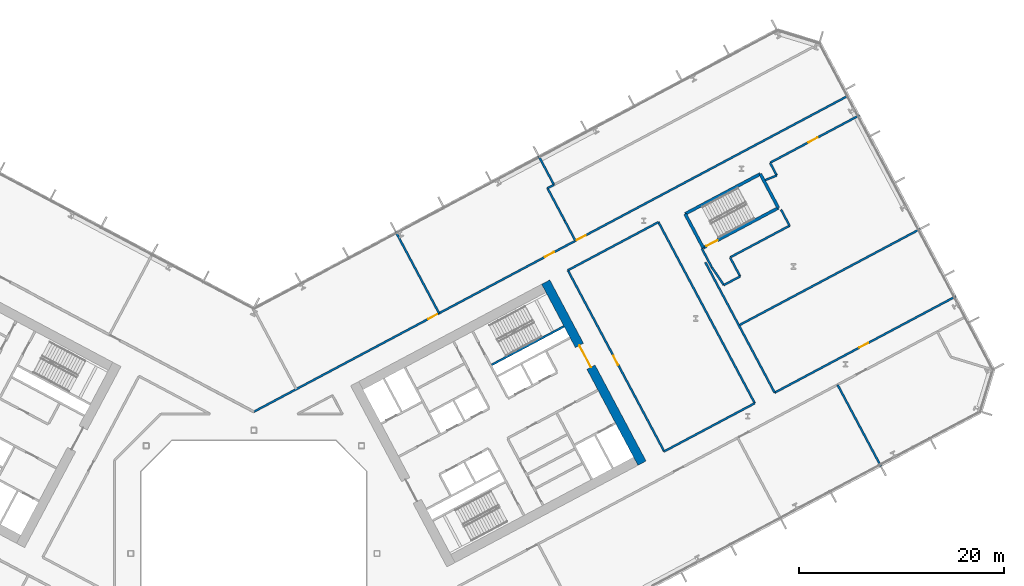
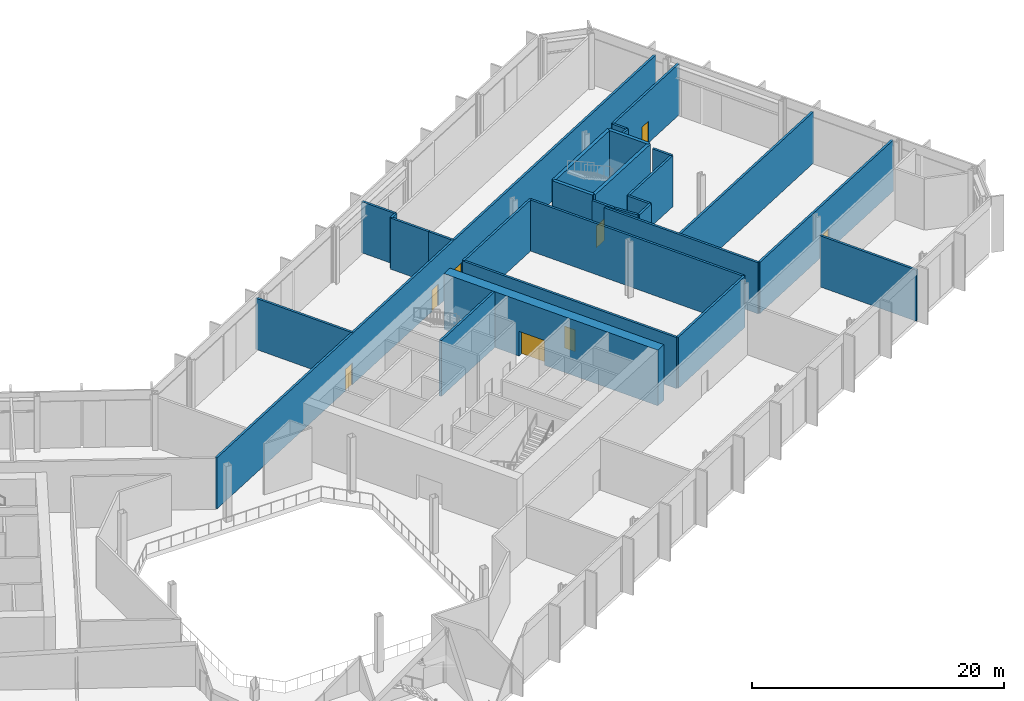
# One storey, part 17 of 31: 29 walls, 8 doors, 8 openings.
"""IFC4 building model written with IfcOpenShell, lengths in metres."""

from ifc_helpers import new_model, si_unit, direction, frame, frame_2d, origin, place, context, subcontext, project, spatial, rectangle, extrude, material, layer, layer_set, type_object, element, fill, save


model = new_model("IFC4")

# Units and contexts
model_context = context("Model", 3, precision=1e-05, world=origin(), true_north=direction((0.0, 1.0)))
body_context = subcontext(model_context, "Body", "Model", "MODEL_VIEW")
ifc_project = project(units=[si_unit("LENGTHUNIT", "METRE"), si_unit("AREAUNIT", "SQUARE_METRE"), si_unit("VOLUMEUNIT", "CUBIC_METRE"), si_unit("PLANEANGLEUNIT", "RADIAN"), si_unit("MASSUNIT", "GRAM", prefix="KILO")], contexts=[model_context])

# Site, building, storey
site_placement = place(None, origin())
site = spatial("IfcSite", under=ifc_project, at=site_placement, CompositionType="ELEMENT")
building_placement = place(site_placement, origin())
building = spatial("IfcBuilding", under=site, at=building_placement, Name="Cormorant Relay Tower", CompositionType="ELEMENT")
storey_placement = place(building_placement, frame((0.0, 0.0, 33.800048828125)))
storey = spatial("IfcBuildingStorey", under=building, at=storey_placement, Name="L06", CompositionType="ELEMENT", Elevation=33.800048828125)

# Wall
ifc_material_1 = material(Name="Concrete 50 MPa", Category="concrete")
ifc_layer_1 = layer(ifc_material_1, 0.199951171875)
ifc_layer_set_1 = layer_set([ifc_layer_1], Name="Core shaft wall 200")
wall_type_1 = type_object("IfcWallType", Name="Core shaft wall 200", PredefinedType="SHEAR", material=ifc_layer_set_1)
wall_1_placement = place(storey_placement, frame((23.18212890625, 18.385498046875, 0.0), z_axis=(0.0, 0.0, 1.0), x_axis=(0.88295287151, 0.469461634952, 0.0)))
element("IfcWall", 1, at=wall_1_placement, inside=storey, type_object=wall_type_1, Name="L06 core B shaft wall", PredefinedType="SHEAR", context=body_context, shape_type="SweptSolid", body=[
    extrude(rectangle(XDim=7.999755859375, YDim=0.199951171875, at=frame_2d((4.0, 0.0))), origin(), (0.0, 0.0, 1.0), 5.39990234375),
])

# Wall, opening, door
ifc_material_2 = material(Name="Concrete 70 MPa", Category="concrete")
ifc_layer_2 = layer(ifc_material_2, 0.89990234375)
ifc_layer_set_2 = layer_set([ifc_layer_2], Name="Core wall 900")
wall_type_2 = type_object("IfcWallType", Name="Core wall 900", PredefinedType="SHEAR", material=ifc_layer_set_2)
wall_2_placement = place(storey_placement, frame((37.849365234375, 8.799072265625, 0.0), z_axis=(0.0, 0.0, 1.0), x_axis=(-0.469465789982, 0.882950662289, 0.0)))
wall_2 = element("IfcWall", 2, at=wall_2_placement, inside=storey, type_object=wall_type_2, Name="L06 core B wall", PredefinedType="SHEAR", context=body_context, shape_type="SweptSolid", body=[
    extrude(rectangle(XDim=20.000244140625, YDim=0.89990234375, at=frame_2d((10.0, 0.0))), origin(), (0.0, 0.0, 1.0), 5.39990234375),
])
opening_1_placement = place(wall_2_placement, frame((10.60009765625, 0.0, 0.0)))
opening_1 = element("IfcOpeningElement", 3, at=opening_1_placement, cuts=wall_2, Name="Opening CDA-016", PredefinedType="OPENING", context=body_context, shape_type="SweptSolid", body=[
    extrude(rectangle(XDim=2.39990234375, YDim=2.39990234375, at=frame_2d((1.199951171875, 1.199951171875))), frame((0.0, 0.4599609375, 0.0), z_axis=(0.0, -1.0, 0.0), x_axis=(1.0, 0.0, 0.0)), (0.0, 0.0, 1.0), 0.919921875),
])
ifc_material_3 = material(Name="Steel fire door", Category="steel")
door_type_1 = type_object("IfcDoorType", Name="Core lobby door 2400x2400", OperationType="DOUBLE_DOOR_SINGLE_SWING", PredefinedType="DOOR", material=ifc_material_3)
door_1_placement = place(opening_1_placement, origin())
door_1 = element("IfcDoor", 4, at=door_1_placement, inside=storey, type_object=door_type_1, Name="Core lobby door 2400x2400", OperationType="DOUBLE_DOOR_SINGLE_SWING", OverallHeight=2.39990234375, OverallWidth=2.39990234375, PredefinedType="DOOR", context=body_context, shape_type="SweptSolid", body=[
    extrude(rectangle(XDim=2.39990234375, YDim=2.39990234375, at=frame_2d((1.199951171875, 1.199951171875))), frame((0.0, 0.02490234375, 0.0), z_axis=(0.0, -1.0, 0.0), x_axis=(1.0, 0.0, 0.0)), (0.0, 0.0, 1.0), 0.050048828125),
])
fill(opening_1, door_1)

# Wall, openings, doors
ifc_material_4 = material(Name="Fire-rated gypsum board partition")
ifc_layer_3 = layer(ifc_material_4, 0.199951171875)
ifc_layer_set_3 = layer_set([ifc_layer_3], Name="Fire-rated gypsum partition 200")
wall_type_3 = type_object("IfcWallType", Name="Fire-rated gypsum partition 200", PredefinedType="PARTITIONING", material=ifc_layer_set_3)
wall_3_placement = place(storey_placement, frame((0.0, 13.81494140625, 0.0), z_axis=(0.0, 0.0, 1.0), x_axis=(0.882946053005, 0.469474458819, 0.0)))
wall_3 = element("IfcWall", 5, at=wall_3_placement, inside=storey, type_object=wall_type_3, Name="wall/L06/part/9", PredefinedType="PARTITIONING", context=body_context, shape_type="SweptSolid", body=[
    extrude(rectangle(XDim=65.714111328125, YDim=0.199951171875, at=frame_2d((32.85693359375, 0.0))), origin(), (0.0, 0.0, 1.0), 4.949951171875),
])
opening_2_placement = place(wall_3_placement, frame((35.64990234375, 0.0, 0.0)))
opening_2 = element("IfcOpeningElement", 6, at=opening_2_placement, cuts=wall_3, Name="Opening FD1-041", PredefinedType="OPENING", context=body_context, shape_type="SweptSolid", body=[
    extrude(rectangle(XDim=1.0, YDim=2.10009765625, at=frame_2d((0.5, 1.050048828125))), frame((0.0, 0.10986328125, 0.0), z_axis=(0.0, -1.0, 0.0), x_axis=(1.0, 0.0, 0.0)), (0.0, 0.0, 1.0), 0.219970703125),
])
opening_3_placement = place(wall_3_placement, frame((32.14990234375, 0.0, 0.0)))
opening_3 = element("IfcOpeningElement", 7, at=opening_3_placement, cuts=wall_3, Name="Opening FD1-042", PredefinedType="OPENING", context=body_context, shape_type="SweptSolid", body=[
    extrude(rectangle(XDim=1.0, YDim=2.10009765625, at=frame_2d((0.5, 1.050048828125))), frame((0.0, 0.10986328125, 0.0), z_axis=(0.0, -1.0, 0.0), x_axis=(1.0, 0.0, 0.0)), (0.0, 0.0, 1.0), 0.219970703125),
])
opening_4_placement = place(wall_3_placement, frame((19.25, 0.0, 0.0)))
opening_4 = element("IfcOpeningElement", 8, at=opening_4_placement, cuts=wall_3, Name="Opening FD1-043", PredefinedType="OPENING", context=body_context, shape_type="SweptSolid", body=[
    extrude(rectangle(XDim=1.0, YDim=2.10009765625, at=frame_2d((0.5, 1.050048828125))), frame((0.0, 0.10986328125, 0.0), z_axis=(0.0, -1.0, 0.0), x_axis=(1.0, 0.0, 0.0)), (0.0, 0.0, 1.0), 0.219970703125),
])
ifc_material_5 = material(Name="Fire-rated steel door", Category="steel")
door_type_2 = type_object("IfcDoorType", Name="Fire door 1000 x 2100", OperationType="SINGLE_SWING_LEFT", PredefinedType="DOOR", material=ifc_material_5)
door_2_placement = place(opening_2_placement, origin())
door_2 = element("IfcDoor", 9, at=door_2_placement, inside=storey, type_object=door_type_2, Name="door/L06/4", OperationType="SINGLE_SWING_LEFT", OverallHeight=2.10009765625, OverallWidth=1.0, PredefinedType="DOOR", context=body_context, shape_type="SweptSolid", body=[
    extrude(rectangle(XDim=1.0, YDim=2.10009765625, at=frame_2d((0.5, 1.050048828125))), frame((0.0, 0.02490234375, 0.0), z_axis=(0.0, -1.0, 0.0), x_axis=(1.0, 0.0, 0.0)), (0.0, 0.0, 1.0), 0.050048828125),
])
fill(opening_2, door_2)
door_3_placement = place(opening_3_placement, origin())
door_3 = element("IfcDoor", 10, at=door_3_placement, inside=storey, type_object=door_type_2, Name="door/L06/5", OperationType="SINGLE_SWING_LEFT", OverallHeight=2.10009765625, OverallWidth=1.0, PredefinedType="DOOR", context=body_context, shape_type="SweptSolid", body=[
    extrude(rectangle(XDim=1.0, YDim=2.10009765625, at=frame_2d((0.5, 1.050048828125))), frame((0.0, 0.02490234375, 0.0), z_axis=(0.0, -1.0, 0.0), x_axis=(1.0, 0.0, 0.0)), (0.0, 0.0, 1.0), 0.050048828125),
])
fill(opening_3, door_3)
door_4_placement = place(opening_4_placement, origin())
door_4 = element("IfcDoor", 11, at=door_4_placement, inside=storey, type_object=door_type_2, Name="door/L06/6", OperationType="SINGLE_SWING_RIGHT", OverallHeight=2.10009765625, OverallWidth=1.0, PredefinedType="DOOR", context=body_context, shape_type="SweptSolid", body=[
    extrude(rectangle(XDim=1.0, YDim=2.10009765625, at=frame_2d((0.5, 1.050048828125))), frame((0.0, 0.02490234375, 0.0), z_axis=(0.0, -1.0, 0.0), x_axis=(1.0, 0.0, 0.0)), (0.0, 0.0, 1.0), 0.050048828125),
])
fill(opening_4, door_4)

# Walls
wall_4_placement = place(storey_placement, frame((13.833984375, 31.365966796875, 0.0), z_axis=(0.0, 0.0, 1.0), x_axis=(0.46934623538, -0.883014219214, 0.0)))
element("IfcWall", 12, at=wall_4_placement, inside=storey, type_object=wall_type_3, Name="wall/L06/part/26", PredefinedType="PARTITIONING", context=body_context, shape_type="SweptSolid", body=[
    extrude(rectangle(XDim=9.002197265625, YDim=0.199951171875, at=frame_2d((4.5009765625, 0.0))), origin(), (0.0, 0.0, 1.0), 4.949951171875),
])
wall_5_placement = place(storey_placement, frame((30.306884765625, 32.4619140625, 0.0), z_axis=(0.0, 0.0, 1.0), x_axis=(0.469652813312, -0.882851196379, 0.0)))
element("IfcWall", 13, at=wall_5_placement, inside=storey, type_object=wall_type_3, Name="wall/L06/part/34", PredefinedType="PARTITIONING", context=body_context, shape_type="SweptSolid", body=[
    extrude(rectangle(XDim=2.23583984375, YDim=0.199951171875, at=frame_2d((1.117919921875, 0.0))), origin(), (0.0, 0.0, 1.0), 4.949951171875),
])
wall_6_placement = place(storey_placement, frame((27.760009765625, 38.77099609375, 0.0), z_axis=(0.0, 0.0, 1.0), x_axis=(0.469320691295, -0.883027796121, 0.0)))
element("IfcWall", 14, at=wall_6_placement, inside=storey, type_object=wall_type_3, Name="wall/L06/part/36", PredefinedType="PARTITIONING", context=body_context, shape_type="SweptSolid", body=[
    extrude(rectangle(XDim=3.2001953125, YDim=0.199951171875, at=frame_2d((1.60009765625, 0.0))), origin(), (0.0, 0.0, 1.0), 4.949951171875),
])
wall_7_placement = place(storey_placement, frame((30.306884765625, 32.4619140625, 0.0), z_axis=(0.0, 0.0, 1.0), x_axis=(-0.469337071246, 0.883019090141, 0.0)))
element("IfcWall", 15, at=wall_7_placement, inside=storey, type_object=wall_type_3, Name="wall/L06/part/38", PredefinedType="PARTITIONING", context=body_context, shape_type="SweptSolid", body=[
    extrude(rectangle(XDim=3.56640625, YDim=0.199951171875, at=frame_2d((1.783203125, 0.0))), origin(), (0.0, 0.0, 1.0), 4.949951171875),
])
wall_8_placement = place(storey_placement, frame((28.633056640625, 35.611083984375, 0.0), z_axis=(0.0, 0.0, 1.0), x_axis=(0.882581167339, 0.470160061106, 0.0)))
element("IfcWall", 16, at=wall_8_placement, inside=storey, type_object=wall_type_3, Name="wall/L06/part/39", PredefinedType="PARTITIONING", context=body_context, shape_type="SweptSolid", body=[
    extrude(rectangle(XDim=0.71044921875, YDim=0.199951171875, at=frame_2d((0.355224609375, 0.0))), origin(), (0.0, 0.0, 1.0), 4.949951171875),
])
wall_9_placement = place(storey_placement, frame((44.028076171875, 28.3798828125, 0.0), z_axis=(0.0, 0.0, 1.0), x_axis=(0.469474817112, -0.882945862495, 0.0)))
element("IfcWall", 17, at=wall_9_placement, inside=storey, type_object=wall_type_3, Name="wall/L06/part/41", PredefinedType="PARTITIONING", context=body_context, shape_type="SweptSolid", body=[
    extrude(rectangle(XDim=14.39013671875, YDim=0.199951171875, at=frame_2d((7.195068359375, 0.0))), origin(), (0.0, 0.0, 1.0), 4.949951171875),
])

# Wall, opening, door
wall_10_placement = place(storey_placement, frame((50.783935546875, 15.674072265625, 0.0), z_axis=(0.0, 0.0, 1.0), x_axis=(0.882931064856, 0.469502646119, 0.0)))
wall_10 = element("IfcWall", 18, at=wall_10_placement, inside=storey, type_object=wall_type_3, Name="wall/L06/part/42", PredefinedType="PARTITIONING", context=body_context, shape_type="SweptSolid", body=[
    extrude(rectangle(XDim=20.001708984375, YDim=0.199951171875, at=frame_2d((10.0009765625, 0.0))), origin(), (0.0, 0.0, 1.0), 4.949951171875),
])
opening_5_placement = place(wall_10_placement, frame((9.35009765625, 0.0, 0.0)))
opening_5 = element("IfcOpeningElement", 19, at=opening_5_placement, cuts=wall_10, Name="Opening FD1-038", PredefinedType="OPENING", context=body_context, shape_type="SweptSolid", body=[
    extrude(rectangle(XDim=1.0, YDim=2.10009765625, at=frame_2d((0.5, 1.050048828125))), frame((0.0, 0.10986328125, 0.0), z_axis=(0.0, -1.0, 0.0), x_axis=(1.0, 0.0, 0.0)), (0.0, 0.0, 1.0), 0.219970703125),
])
door_5_placement = place(opening_5_placement, origin())
door_5 = element("IfcDoor", 20, at=door_5_placement, inside=storey, type_object=door_type_2, Name="door/L06/21", OperationType="SINGLE_SWING_LEFT", OverallHeight=2.10009765625, OverallWidth=1.0, PredefinedType="DOOR", context=body_context, shape_type="SweptSolid", body=[
    extrude(rectangle(XDim=1.0, YDim=2.10009765625, at=frame_2d((0.5, 1.050048828125))), frame((0.0, 0.02490234375, 0.0), z_axis=(0.0, -1.0, 0.0), x_axis=(1.0, 0.0, 0.0)), (0.0, 0.0, 1.0), 0.050048828125),
])
fill(opening_5, door_5)

# Walls
wall_11_placement = place(storey_placement, frame((64.9560546875, 31.625, 0.0), z_axis=(0.0, 0.0, 1.0), x_axis=(-0.882962064064, -0.469444345396, 0.0)))
element("IfcWall", 21, at=wall_11_placement, inside=storey, type_object=wall_type_3, Name="wall/L06/part/43", PredefinedType="PARTITIONING", context=body_context, shape_type="SweptSolid", body=[
    extrude(rectangle(XDim=20.002197265625, YDim=0.199951171875, at=frame_2d((10.0009765625, 0.0))), origin(), (0.0, 0.0, 1.0), 4.949951171875),
])
wall_12_placement = place(storey_placement, frame((44.641357421875, 27.9248046875, 0.0), z_axis=(0.0, 0.0, 1.0), x_axis=(-0.469289400299, 0.88304442627, 0.0)))
element("IfcWall", 22, at=wall_12_placement, inside=storey, type_object=wall_type_3, Name="wall/L06/part/44", PredefinedType="PARTITIONING", context=body_context, shape_type="SweptSolid", body=[
    extrude(rectangle(XDim=2.039794921875, YDim=0.199951171875, at=frame_2d((1.02001953125, 0.0))), origin(), (0.0, 0.0, 1.0), 4.949951171875),
])
wall_13_placement = place(storey_placement, frame((46.43603515625, 28.863037109375, 0.0), z_axis=(0.0, 0.0, 1.0), x_axis=(0.469342548312, -0.883016178982, 0.0)))
element("IfcWall", 23, at=wall_13_placement, inside=storey, type_object=wall_type_3, Name="wall/L06/part/45", PredefinedType="PARTITIONING", context=body_context, shape_type="SweptSolid", body=[
    extrude(rectangle(XDim=2.09619140625, YDim=0.199951171875, at=frame_2d((1.048095703125, 0.0))), origin(), (0.0, 0.0, 1.0), 4.949951171875),
])
wall_14_placement = place(storey_placement, frame((47.419921875, 27.011962890625, 0.0), z_axis=(0.0, 0.0, 1.0), x_axis=(-0.882911879422, -0.469538723829, 0.0)))
element("IfcWall", 24, at=wall_14_placement, inside=storey, type_object=wall_type_3, Name="wall/L06/part/46", PredefinedType="PARTITIONING", context=body_context, shape_type="SweptSolid", body=[
    extrude(rectangle(XDim=1.799560546875, YDim=0.199951171875, at=frame_2d((0.89990234375, 0.0))), origin(), (0.0, 0.0, 1.0), 4.949951171875),
])
wall_15_placement = place(storey_placement, frame((45.8310546875, 26.1669921875, 0.0), z_axis=(0.0, 0.0, 1.0), x_axis=(-0.560924797645, 0.827866759441, 0.0)))
element("IfcWall", 25, at=wall_15_placement, inside=storey, type_object=wall_type_3, Name="wall/L06/part/47", PredefinedType="PARTITIONING", context=body_context, shape_type="SweptSolid", body=[
    extrude(rectangle(XDim=2.11279296875, YDim=0.199951171875, at=frame_2d((1.056396484375, 0.0))), origin(), (0.0, 0.0, 1.0), 4.949951171875),
])
wall_16_placement = place(storey_placement, frame((51.404052734375, 33.52490234375, 0.0), z_axis=(0.0, 0.0, 1.0), x_axis=(0.469078340822, -0.883156560396, 0.0)))
element("IfcWall", 26, at=wall_16_placement, inside=storey, type_object=wall_type_3, Name="wall/L06/part/48", PredefinedType="PARTITIONING", context=body_context, shape_type="SweptSolid", body=[
    extrude(rectangle(XDim=1.780029296875, YDim=0.199951171875, at=frame_2d((0.89013671875, 0.0))), origin(), (0.0, 0.0, 1.0), 4.949951171875),
])
wall_17_placement = place(storey_placement, frame((52.239013671875, 31.952880859375, 0.0), z_axis=(0.0, 0.0, 1.0), x_axis=(-0.882908561856, -0.469544962065, 0.0)))
element("IfcWall", 27, at=wall_17_placement, inside=storey, type_object=wall_type_3, Name="wall/L06/part/49", PredefinedType="PARTITIONING", context=body_context, shape_type="SweptSolid", body=[
    extrude(rectangle(XDim=6.548828125, YDim=0.199951171875, at=frame_2d((3.2744140625, 0.0))), origin(), (0.0, 0.0, 1.0), 4.949951171875),
])
wall_18_placement = place(storey_placement, frame((49.859130859375, 36.397216796875, 0.0), z_axis=(0.0, 0.0, 1.0), x_axis=(0.927439235731, 0.373973881477, 0.0)))
element("IfcWall", 28, at=wall_18_placement, inside=storey, type_object=wall_type_3, Name="wall/L06/part/50", PredefinedType="PARTITIONING", context=body_context, shape_type="SweptSolid", body=[
    extrude(rectangle(XDim=1.221435546875, YDim=0.199951171875, at=frame_2d((0.61083984375, 0.0))), origin(), (0.0, 0.0, 1.0), 4.949951171875),
])
wall_19_placement = place(storey_placement, frame((50.3369140625, 38.0869140625, 0.0), z_axis=(0.0, 0.0, 1.0), x_axis=(0.469436222784, -0.882966382564, 0.0)))
element("IfcWall", 29, at=wall_19_placement, inside=storey, type_object=wall_type_3, Name="wall/L06/part/51", PredefinedType="PARTITIONING", context=body_context, shape_type="SweptSolid", body=[
    extrude(rectangle(XDim=1.3974609375, YDim=0.199951171875, at=frame_2d((0.69873046875, 0.0))), origin(), (0.0, 0.0, 1.0), 4.949951171875),
])

# Wall, opening, door
wall_20_placement = place(storey_placement, frame((50.3349609375, 38.091064453125, 0.0), z_axis=(0.0, 0.0, 1.0), x_axis=(0.882925167554, 0.46951373622, 0.0)))
wall_20 = element("IfcWall", 30, at=wall_20_placement, inside=storey, type_object=wall_type_3, Name="wall/L06/part/52", PredefinedType="PARTITIONING", context=body_context, shape_type="SweptSolid", body=[
    extrude(rectangle(XDim=9.8740234375, YDim=0.199951171875, at=frame_2d((4.93701171875, 0.0))), origin(), (0.0, 0.0, 1.0), 4.949951171875),
])
opening_6_placement = place(wall_20_placement, frame((4.25, 0.0, 0.0)))
opening_6 = element("IfcOpeningElement", 31, at=opening_6_placement, cuts=wall_20, Name="Opening FD1-039", PredefinedType="OPENING", context=body_context, shape_type="SweptSolid", body=[
    extrude(rectangle(XDim=1.0, YDim=2.10009765625, at=frame_2d((0.5, 1.050048828125))), frame((0.0, 0.10986328125, 0.0), z_axis=(0.0, -1.0, 0.0), x_axis=(1.0, 0.0, 0.0)), (0.0, 0.0, 1.0), 0.219970703125),
])
door_6_placement = place(opening_6_placement, frame((1.0, 0.0, 0.0), z_axis=(0.0, 0.0, 1.0), x_axis=(-1.0, 0.0, 0.0)))
door_6 = element("IfcDoor", 32, at=door_6_placement, inside=storey, type_object=door_type_2, Name="door/L06/22", OperationType="SINGLE_SWING_RIGHT", OverallHeight=2.10009765625, OverallWidth=1.0, PredefinedType="DOOR", context=body_context, shape_type="SweptSolid", body=[
    extrude(rectangle(XDim=1.0, YDim=2.10009765625, at=frame_2d((0.5, 1.050048828125))), frame((0.0, 0.02490234375, 0.0), z_axis=(0.0, -1.0, 0.0), x_axis=(1.0, 0.0, 0.0)), (0.0, 0.0, 1.0), 0.050048828125),
])
fill(opening_6, door_6)

# Walls
wall_21_placement = place(storey_placement, frame((56.916015625, 16.447998046875, 0.0), z_axis=(0.0, 0.0, 1.0), x_axis=(0.469430813661, -0.882969258347, 0.0)))
element("IfcWall", 33, at=wall_21_placement, inside=storey, type_object=wall_type_3, Name="wall/L06/part/53", PredefinedType="PARTITIONING", context=body_context, shape_type="SweptSolid", body=[
    extrude(rectangle(XDim=9.00244140625, YDim=0.199951171875, at=frame_2d((4.501220703125, 0.0))), origin(), (0.0, 0.0, 1.0), 4.949951171875),
])
wall_22_placement = place(storey_placement, frame((30.6201171875, 27.60888671875, 0.0), z_axis=(0.0, 0.0, 1.0), x_axis=(0.882924481944, 0.469515025515, 0.0)))
element("IfcWall", 34, at=wall_22_placement, inside=storey, type_object=wall_type_3, Name="wall/L06/part/65", PredefinedType="PARTITIONING", context=body_context, shape_type="SweptSolid", body=[
    extrude(rectangle(XDim=10.00390625, YDim=0.199951171875, at=frame_2d((5.001953125, 0.0))), origin(), (0.0, 0.0, 1.0), 4.949951171875),
])
wall_23_placement = place(storey_placement, frame((39.452880859375, 32.305908203125, 0.0), z_axis=(0.0, 0.0, 1.0), x_axis=(0.469494565876, -0.882935361514, 0.0)))
element("IfcWall", 35, at=wall_23_placement, inside=storey, type_object=wall_type_3, Name="wall/L06/part/66", PredefinedType="PARTITIONING", context=body_context, shape_type="SweptSolid", body=[
    extrude(rectangle(XDim=20.004638671875, YDim=0.199951171875, at=frame_2d((10.00244140625, 0.0))), origin(), (0.0, 0.0, 1.0), 4.949951171875),
])
wall_24_placement = place(storey_placement, frame((48.844970703125, 14.64306640625, 0.0), z_axis=(0.0, 0.0, 1.0), x_axis=(-0.882970325556, -0.469428806304, 0.0)))
element("IfcWall", 36, at=wall_24_placement, inside=storey, type_object=wall_type_3, Name="wall/L06/part/67", PredefinedType="PARTITIONING", context=body_context, shape_type="SweptSolid", body=[
    extrude(rectangle(XDim=10.003662109375, YDim=0.199951171875, at=frame_2d((5.001953125, 0.0))), origin(), (0.0, 0.0, 1.0), 4.949951171875),
])

# Wall, opening, door
wall_25_placement = place(storey_placement, frame((40.011962890625, 9.947021484375, 0.0), z_axis=(0.0, 0.0, 1.0), x_axis=(-0.469505288447, 0.882929659781, 0.0)))
wall_25 = element("IfcWall", 37, at=wall_25_placement, inside=storey, type_object=wall_type_3, Name="wall/L06/part/68", PredefinedType="PARTITIONING", context=body_context, shape_type="SweptSolid", body=[
    extrude(rectangle(XDim=20.003662109375, YDim=0.199951171875, at=frame_2d((10.001953125, 0.0))), origin(), (0.0, 0.0, 1.0), 4.949951171875),
])
opening_7_placement = place(wall_25_placement, frame((9.550048828125, 0.0, 0.0)))
opening_7 = element("IfcOpeningElement", 38, at=opening_7_placement, cuts=wall_25, Name="Opening FD1-037", PredefinedType="OPENING", context=body_context, shape_type="SweptSolid", body=[
    extrude(rectangle(XDim=1.0, YDim=2.10009765625, at=frame_2d((0.5, 1.050048828125))), frame((0.0, 0.10986328125, 0.0), z_axis=(0.0, -1.0, 0.0), x_axis=(1.0, 0.0, 0.0)), (0.0, 0.0, 1.0), 0.219970703125),
])
door_7_placement = place(opening_7_placement, origin())
door_7 = element("IfcDoor", 39, at=door_7_placement, inside=storey, type_object=door_type_2, Name="door/L06/20", OperationType="SINGLE_SWING_RIGHT", OverallHeight=2.10009765625, OverallWidth=1.0, PredefinedType="DOOR", context=body_context, shape_type="SweptSolid", body=[
    extrude(rectangle(XDim=1.0, YDim=2.10009765625, at=frame_2d((0.5, 1.050048828125))), frame((0.0, 0.02490234375, 0.0), z_axis=(0.0, -1.0, 0.0), x_axis=(1.0, 0.0, 0.0)), (0.0, 0.0, 1.0), 0.050048828125),
])
fill(opening_7, door_7)

# Wall
ifc_material_6 = material(Name="Concrete 50 MPa", Category="concrete")
ifc_layer_4 = layer(ifc_material_6, 0.300048828125)
ifc_layer_set_4 = layer_set([ifc_layer_4], Name="Remote stair wall 300")
wall_type_4 = type_object("IfcWallType", Name="Remote stair wall 300", PredefinedType="SHEAR", material=ifc_layer_set_4)
wall_26_placement = place(storey_placement, frame((49.384033203125, 37.00390625, 0.0), z_axis=(0.0, 0.0, 1.0), x_axis=(0.46946936446, -0.882948761726, 0.0)))
element("IfcWall", 40, at=wall_26_placement, inside=storey, type_object=wall_type_4, Name="L06 exit stair RB1 wall", PredefinedType="SHEAR", context=body_context, shape_type="SweptSolid", body=[
    extrude(rectangle(XDim=3.75, YDim=0.300048828125, at=frame_2d((1.875, 0.0))), origin(), (0.0, 0.0, 1.0), 5.39990234375),
])

# Wall, opening, door
wall_27_placement = place(storey_placement, frame((51.14453125, 33.69287109375, 0.0), z_axis=(0.0, 0.0, 1.0), x_axis=(-0.882945809314, -0.469474917132, 0.0)))
wall_27 = element("IfcWall", 41, at=wall_27_placement, inside=storey, type_object=wall_type_4, Name="L06 exit stair RB1 wall", PredefinedType="SHEAR", context=body_context, shape_type="SweptSolid", body=[
    extrude(rectangle(XDim=8.30029296875, YDim=0.300048828125, at=frame_2d((4.150146484375, 0.0))), origin(), (0.0, 0.0, 1.0), 5.39990234375),
])
opening_8_placement = place(wall_27_placement, frame((6.72509765625, 0.0, 0.0)))
opening_8 = element("IfcOpeningElement", 42, at=opening_8_placement, cuts=wall_27, Name="Opening CDB-023", PredefinedType="OPENING", context=body_context, shape_type="SweptSolid", body=[
    extrude(rectangle(XDim=1.199951171875, YDim=2.10009765625, at=frame_2d((0.60009765625, 1.050048828125))), frame((0.0, 0.159912109375, 0.0), z_axis=(0.0, -1.0, 0.0), x_axis=(1.0, 0.0, 0.0)), (0.0, 0.0, 1.0), 0.320068359375),
])
ifc_material_7 = material(Name="Steel fire door", Category="steel")
door_type_3 = type_object("IfcDoorType", Name="Core stair door 1200x2100", OperationType="SINGLE_SWING_LEFT", PredefinedType="DOOR", material=ifc_material_7)
door_8_placement = place(opening_8_placement, frame((1.199951171875, 0.0, 0.0), z_axis=(0.0, 0.0, 1.0), x_axis=(-1.0, 0.0, 0.0)))
door_8 = element("IfcDoor", 43, at=door_8_placement, inside=storey, type_object=door_type_3, Name="Exit stair RB1 door", OperationType="SINGLE_SWING_LEFT", OverallHeight=2.10009765625, OverallWidth=1.199951171875, PredefinedType="DOOR", context=body_context, shape_type="SweptSolid", body=[
    extrude(rectangle(XDim=1.199951171875, YDim=2.10009765625, at=frame_2d((0.60009765625, 1.050048828125))), frame((0.0, 0.02490234375, 0.0), z_axis=(0.0, -1.0, 0.0), x_axis=(1.0, 0.0, 0.0)), (0.0, 0.0, 1.0), 0.050048828125),
])
fill(opening_8, door_8)

# Walls
wall_28_placement = place(storey_placement, frame((43.81591796875, 29.796142578125, 0.0), z_axis=(0.0, 0.0, 1.0), x_axis=(-0.46946936446, 0.882948761726, 0.0)))
element("IfcWall", 44, at=wall_28_placement, inside=storey, type_object=wall_type_4, Name="L06 exit stair RB1 wall", PredefinedType="SHEAR", context=body_context, shape_type="SweptSolid", body=[
    extrude(rectangle(XDim=3.75, YDim=0.300048828125, at=frame_2d((1.875, 0.0))), origin(), (0.0, 0.0, 1.0), 5.39990234375),
])
wall_29_placement = place(storey_placement, frame((42.055419921875, 33.107177734375, 0.0), z_axis=(0.0, 0.0, 1.0), x_axis=(0.882945809314, 0.469474917132, 0.0)))
element("IfcWall", 45, at=wall_29_placement, inside=storey, type_object=wall_type_4, Name="L06 exit stair RB1 wall", PredefinedType="SHEAR", context=body_context, shape_type="SweptSolid", body=[
    extrude(rectangle(XDim=8.30029296875, YDim=0.300048828125, at=frame_2d((4.150146484375, 0.0))), origin(), (0.0, 0.0, 1.0), 5.39990234375),
])

save(model, "model.ifc")
